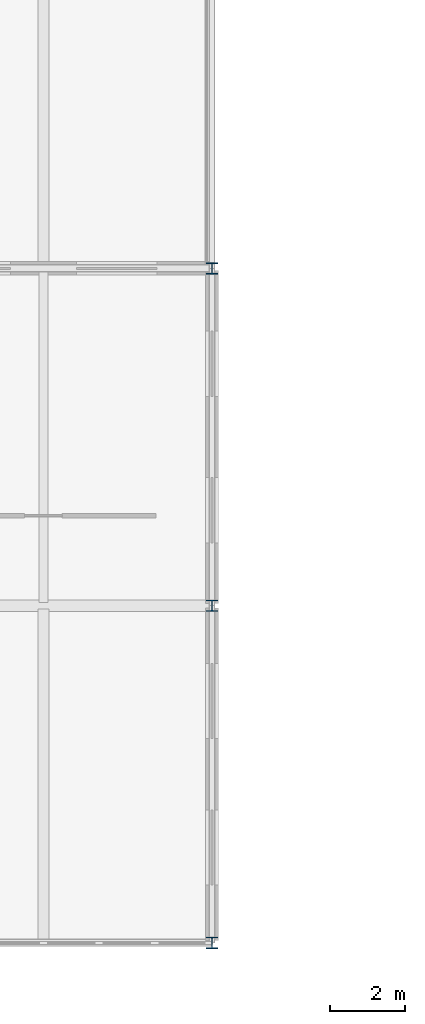
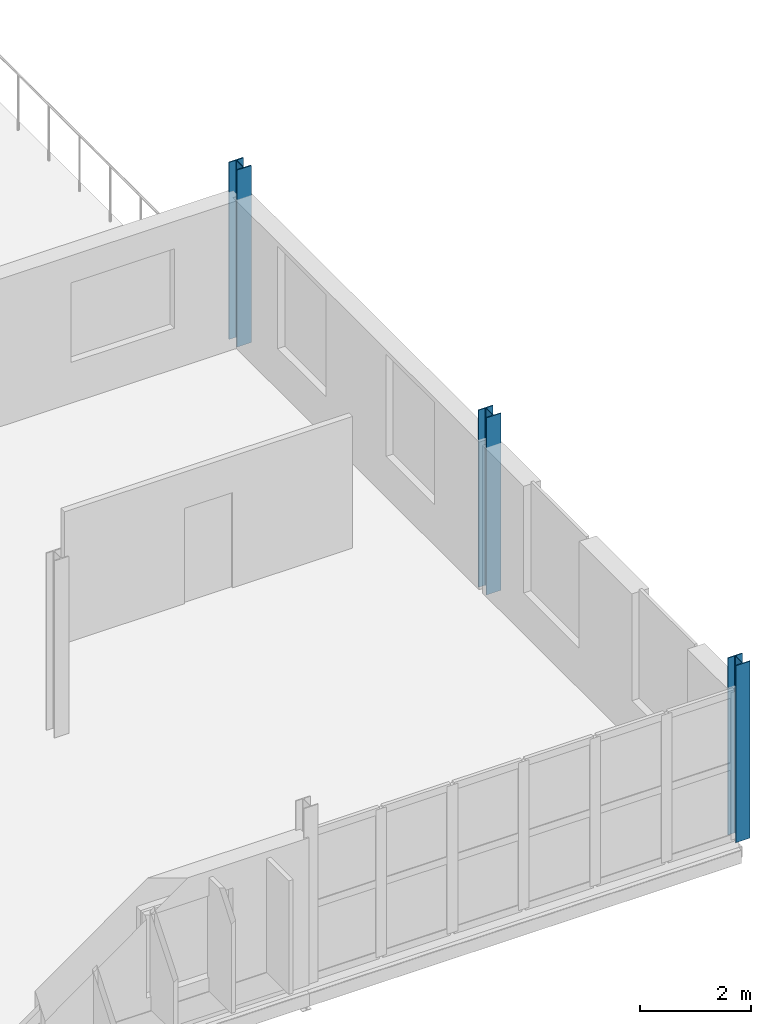
# One storey, part 18 of 123: 3 columns.
"""IFC4 building model written with IfcOpenShell, lengths in metres."""

import ifcopenshell
import ifcopenshell.guid

model = None  # the IFC model being written
_history = None  # IfcOwnerHistory: only IFC2X3 demands one
_inside = {}  # id of a spatial element -> (the spatial element, [elements in it])
_under = {}  # id of a project, library or spatial element -> (it, [spatial elements below it])
_declared = {}  # id of a project -> (the project, [libraries it declares])
_typed = {}  # id of a type object -> (the type object, [elements of that type])
_made_of = {}  # id of a material, layer set ... -> (it, [elements and type objects made of it])


def new_model(schema):
    """Start an empty IFC model of exactly this schema.

    Asked for "IFC4X3", IfcOpenShell would pick the latest addendum, in which some entities
    have other attributes; the version numbers below select the first issue.
    IFC2X3 requires an IfcOwnerHistory on every rooted entity: one is made here for all.
    """
    global model, _history
    if schema == "IFC4X3":
        model = ifcopenshell.file(schema_version=(4, 3, 0, 0))
    else:
        model = ifcopenshell.file(schema=schema)
    _inside.clear()
    _under.clear()
    _declared.clear()
    _typed.clear()
    _made_of.clear()
    _history = None
    if model.schema == "IFC2X3":
        org = make("IfcOrganization", Name="unknown")
        user = make(
            "IfcPersonAndOrganization",
            ThePerson=make("IfcPerson", FamilyName="unknown"),
            TheOrganization=org,
        )
        app = make(
            "IfcApplication",
            ApplicationDeveloper=org,
            Version="unknown",
            ApplicationFullName="unknown",
            ApplicationIdentifier="unknown",
        )
        _history = make(
            "IfcOwnerHistory",
            OwningUser=user,
            OwningApplication=app,
            ChangeAction="ADDED",
            CreationDate=0,
        )
    return model


def make(cls, **values):
    """One entity of the class cls with the attributes given. An attribute that is None is left unset."""
    return model.create_entity(
        cls, **{name: value for name, value in values.items() if value is not None}
    )


def rooted(cls, **values):
    """An entity with a GlobalId (a new one), such as an element, a storey or a relation."""
    return make(cls, GlobalId=ifcopenshell.guid.new(), OwnerHistory=_history, **values)


def si_unit(unit_type, name, prefix=None):
    """IfcSIUnit, for example si_unit("LENGTHUNIT", "METRE", prefix="MILLI")."""
    return make("IfcSIUnit", UnitType=unit_type, Prefix=prefix, Name=name)


def assignment(units):
    """IfcUnitAssignment: the units of a project."""
    return None if units is None else make("IfcUnitAssignment", Units=units)


def point(xyz):
    """IfcCartesianPoint."""
    return None if xyz is None else make("IfcCartesianPoint", Coordinates=xyz)


def direction(xyz):
    """IfcDirection."""
    return None if xyz is None else make("IfcDirection", DirectionRatios=xyz)


def frame(location, z_axis=None, x_axis=None):
    """IfcAxis2Placement3D, a coordinate frame: its origin and axes. An axis left out is left unset."""
    return make(
        "IfcAxis2Placement3D",
        Location=point(location),
        Axis=direction(z_axis),
        RefDirection=direction(x_axis),
    )


def frame_2d(location, x_axis=None):
    """IfcAxis2Placement2D, a coordinate frame in the plane: its origin and x axis."""
    return make(
        "IfcAxis2Placement2D", Location=point(location), RefDirection=direction(x_axis)
    )


def origin():
    """The frame at (0, 0, 0) with its axes left unset."""
    return frame((0.0, 0.0, 0.0))


def origin_2d():
    """The frame at (0, 0) in the plane with its x axis left unset."""
    return frame_2d((0.0, 0.0))


def place(relative_to, where):
    """IfcLocalPlacement: puts the frame where relative to a parent placement (None: the world)."""
    return make(
        "IfcLocalPlacement", PlacementRelTo=relative_to, RelativePlacement=where
    )


def context(
    kind, dimensions, precision=None, world=None, true_north=None, identifier=None
):
    """IfcGeometricRepresentationContext, for example the 3D "Model" context."""
    return make(
        "IfcGeometricRepresentationContext",
        ContextIdentifier=identifier,
        ContextType=kind,
        CoordinateSpaceDimension=dimensions,
        Precision=precision,
        WorldCoordinateSystem=world,
        TrueNorth=true_north,
    )


def subcontext(parent, identifier, kind, view, scale=None):
    """IfcGeometricRepresentationSubContext, for example "Body" below "Model"."""
    return make(
        "IfcGeometricRepresentationSubContext",
        ContextIdentifier=identifier,
        ContextType=kind,
        ParentContext=parent,
        TargetScale=scale,
        TargetView=view,
    )


def project(units=None, contexts=None):
    """IfcProject with its units and contexts."""
    return rooted(
        "IfcProject",
        Name="project",
        RepresentationContexts=contexts,
        UnitsInContext=assignment(units),
    )


def spatial(cls, under=None, at=None, **own):
    """A site, building, storey or space (cls), placed at a placement, below another one or the project."""
    s = rooted(cls, ObjectPlacement=at, **own)
    if under is not None:
        _under.setdefault(under.id(), (under, []))[1].append(s)
    return s


def profile(cls, at=None, kind="AREA", **sizes):
    """A parametric profile (cls). Its sizes go by their IFC names, for example OverallWidth=200.0."""
    return make(cls, ProfileType=kind, Position=at, **sizes)


def i_section(**sizes):
    """IfcIShapeProfileDef."""
    return profile("IfcIShapeProfileDef", **sizes)


def extrude(swept, where, along, depth):
    """IfcExtrudedAreaSolid: the profile swept, set in the frame where, extruded along a direction by depth."""
    return make(
        "IfcExtrudedAreaSolid",
        SweptArea=swept,
        Position=where,
        ExtrudedDirection=direction(along),
        Depth=depth,
    )


def shape(context_of_items, identifier, shape_type, items):
    """IfcShapeRepresentation: the items that make up one representation, for example the "Body"."""
    return make(
        "IfcShapeRepresentation",
        ContextOfItems=context_of_items,
        RepresentationIdentifier=identifier,
        RepresentationType=shape_type,
        Items=items,
    )


def material(Name=None, Category=None):
    """IfcMaterial."""
    return make("IfcMaterial", Name=Name, Category=Category)


def material_profile(
    of_material, cross_section, Name=None, Category=None, Priority=None
):
    """IfcMaterialProfile: a cross section and its material."""
    return make(
        "IfcMaterialProfile",
        Name=Name,
        Material=of_material,
        Profile=cross_section,
        Priority=Priority,
        Category=Category,
    )


def profile_set(profiles, Name=None, composite=None):
    """IfcMaterialProfileSet."""
    return make(
        "IfcMaterialProfileSet",
        Name=Name,
        MaterialProfiles=profiles,
        CompositeProfile=composite,
    )


def made_of(thing, what):
    """Note that an element or type object is made of a material, layer set ...; save() writes the relation."""
    if what is not None:
        _made_of.setdefault(what.id(), (what, []))[1].append(thing)
    return thing


def type_object(cls, material=None, **own):
    """A type object (cls), such as IfcWallType, which elements share."""
    return made_of(rooted(cls, **own), material)


def element(
    cls,
    number,
    at=None,
    inside=None,
    cuts=None,
    type_object=None,
    material=None,
    context=None,
    identifier="Body",
    shape_type=None,
    held_by="IfcProductDefinitionShape",
    body=None,
    shapes=None,
    **own,
):
    """One element of the class cls, such as IfcWall. Its Tag is "e" and its number.

    at: its placement. inside: the storey or other place that contains it. cuts: it is an
    opening in that element (IfcRelVoidsElement). A single representation is given by context,
    identifier, shape_type and body (its items); several are given by shapes. held_by: the class
    of the entity that holds the representations. save() writes the other relations.
    """
    e = rooted(cls, Tag="e%d" % number, ObjectPlacement=at, **own)
    if body is not None:
        shapes = [shape(context, identifier, shape_type, body)]
    if shapes is not None:
        e.Representation = make(held_by, Representations=shapes)
    if inside is not None:
        _inside.setdefault(inside.id(), (inside, []))[1].append(e)
    if cuts is not None:
        rooted(
            "IfcRelVoidsElement", RelatingBuildingElement=cuts, RelatedOpeningElement=e
        )
    if type_object is not None:
        _typed.setdefault(type_object.id(), (type_object, []))[1].append(e)
    return made_of(e, material)


def aggregate(whole, parts):
    """IfcRelAggregates: a whole, such as a stair, and the parts it consists of."""
    return rooted("IfcRelAggregates", RelatingObject=whole, RelatedObjects=parts)


def save(model, path):
    """Write the relations noted so far, then the file.

    IfcRelAggregates (storeys below a building ...), IfcRelContainedInSpatialStructure (elements
    in a storey), IfcRelDefinesByType, IfcRelAssociatesMaterial and IfcRelDeclares: one each for
    every whole, place, type object, material and project.
    """
    for whole, parts in _under.values():
        aggregate(whole, parts)
    for where, things in _inside.values():
        rooted(
            "IfcRelContainedInSpatialStructure",
            RelatedElements=things,
            RelatingStructure=where,
        )
    for kind, things in _typed.values():
        rooted("IfcRelDefinesByType", RelatedObjects=things, RelatingType=kind)
    for what, things in _made_of.values():
        rooted("IfcRelAssociatesMaterial", RelatedObjects=things, RelatingMaterial=what)
    for by, libraries in _declared.values():
        rooted("IfcRelDeclares", RelatingContext=by, RelatedDefinitions=libraries)
    model.write(path)


model = new_model("IFC4")

# Units and contexts
model_context = context("Model", 3, precision=1e-05, world=origin(), true_north=direction((0.0, 1.0)))
body_context = subcontext(model_context, "Body", "Model", "MODEL_VIEW")
ifc_project = project(units=[si_unit("LENGTHUNIT", "METRE"), si_unit("AREAUNIT", "SQUARE_METRE"), si_unit("VOLUMEUNIT", "CUBIC_METRE"), si_unit("PLANEANGLEUNIT", "RADIAN"), si_unit("MASSUNIT", "GRAM", prefix="KILO")], contexts=[model_context])

# Site, building, storey
site_placement = place(None, origin())
site = spatial("IfcSite", under=ifc_project, at=site_placement, CompositionType="ELEMENT")
building_placement = place(site_placement, origin())
building = spatial("IfcBuilding", under=site, at=building_placement, Name="Kildeholm Park Wholesale Market", CompositionType="ELEMENT")
storey_placement = place(building_placement, frame((0.0, 0.0, 9.60009765625)))
storey = spatial("IfcBuildingStorey", under=building, at=storey_placement, Name="L02", CompositionType="ELEMENT", Elevation=9.60009765625)

# Columns
ifc_material = material(Name="Steel S355", Category="steel")
ifc_material_profile = material_profile(ifc_material, i_section(OverallWidth=0.300048828125, OverallDepth=0.300048828125, WebThickness=0.010986328125, FlangeThickness=0.01904296875, FilletRadius=0.027099609375, at=origin_2d()), Name="HEB 300")
ifc_profile_set = profile_set([ifc_material_profile], Name="Steel S355")
column_type = type_object("IfcColumnType", Name="Column C-S03 HEB 300", PredefinedType="COLUMN", material=ifc_profile_set)
for number, where, z_axis, x_axis, name in (
    (1, (198.0, 0.0, 0.0), (0.0, 0.0, 1.0), (1.0, 0.0, 0.0), "Column V5E-198-000 L02 COL-0871"),
    (2, (198.0, 9.0, 0.0), (0.0, 0.0, 1.0), (1.0, 0.0, 0.0), "Column V5E-198-009 L02 COL-0874"),
    (3, (198.0, 18.0, 0.0), (0.0, 0.0, 1.0), (1.0, 0.0, 0.0), "Column V5E-198-018 L02 COL-0877"),
):
    element("IfcColumn", number, at=place(storey_placement, frame(where, z_axis=z_axis, x_axis=x_axis)), inside=storey, type_object=column_type, Name=name, PredefinedType="COLUMN", context=body_context, shape_type="SweptSolid", body=[
        extrude(i_section(OverallWidth=0.300048828125, OverallDepth=0.300048828125, WebThickness=0.010986328125, FlangeThickness=0.01904296875, FilletRadius=0.027099609375, at=origin_2d()), origin(), (0.0, 0.0, 1.0), 3.89990234375),
    ])

save(model, "model.ifc")
